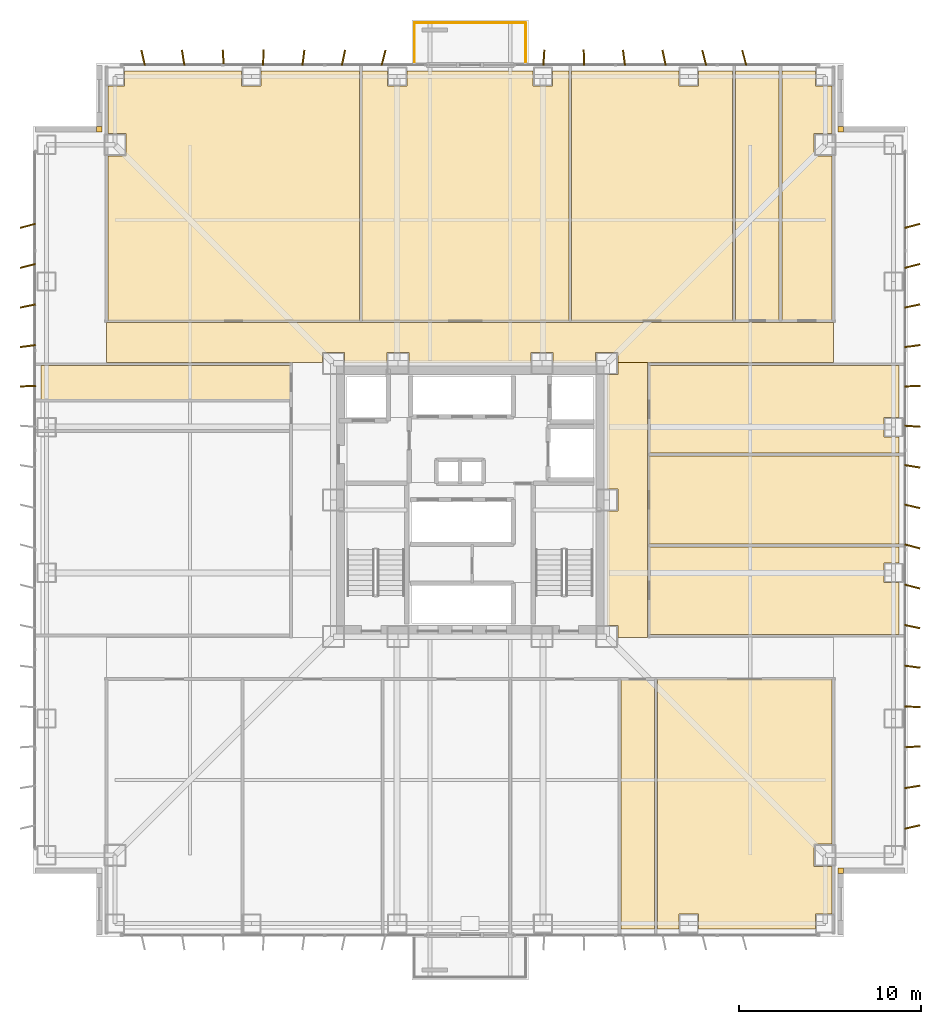
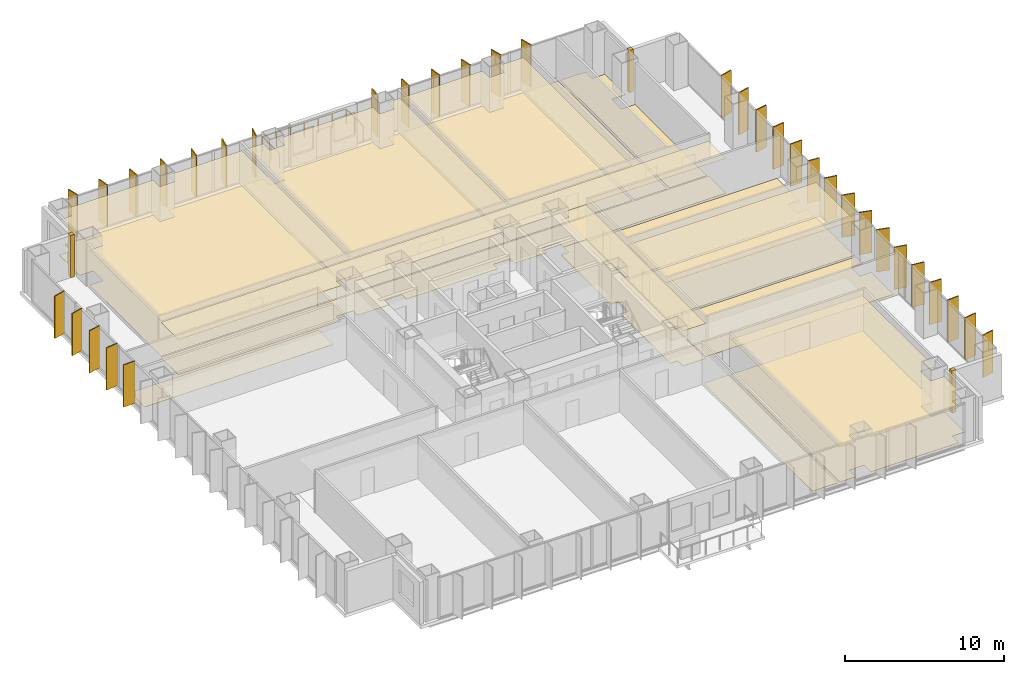
# One storey, part 21 of 21: 34 shading devices, 23 coverings, 3 railings.
"""IFC4 building model written with IfcOpenShell, lengths in metres."""

import ifcopenshell
import ifcopenshell.guid

model = None  # the IFC model being written
_history = None  # IfcOwnerHistory: only IFC2X3 demands one
_inside = {}  # id of a spatial element -> (the spatial element, [elements in it])
_under = {}  # id of a project, library or spatial element -> (it, [spatial elements below it])
_declared = {}  # id of a project -> (the project, [libraries it declares])
_typed = {}  # id of a type object -> (the type object, [elements of that type])
_made_of = {}  # id of a material, layer set ... -> (it, [elements and type objects made of it])


def new_model(schema):
    """Start an empty IFC model of exactly this schema.

    Asked for "IFC4X3", IfcOpenShell would pick the latest addendum, in which some entities
    have other attributes; the version numbers below select the first issue.
    IFC2X3 requires an IfcOwnerHistory on every rooted entity: one is made here for all.
    """
    global model, _history
    if schema == "IFC4X3":
        model = ifcopenshell.file(schema_version=(4, 3, 0, 0))
    else:
        model = ifcopenshell.file(schema=schema)
    _inside.clear()
    _under.clear()
    _declared.clear()
    _typed.clear()
    _made_of.clear()
    _history = None
    if model.schema == "IFC2X3":
        org = make("IfcOrganization", Name="unknown")
        user = make(
            "IfcPersonAndOrganization",
            ThePerson=make("IfcPerson", FamilyName="unknown"),
            TheOrganization=org,
        )
        app = make(
            "IfcApplication",
            ApplicationDeveloper=org,
            Version="unknown",
            ApplicationFullName="unknown",
            ApplicationIdentifier="unknown",
        )
        _history = make(
            "IfcOwnerHistory",
            OwningUser=user,
            OwningApplication=app,
            ChangeAction="ADDED",
            CreationDate=0,
        )
    return model


def make(cls, **values):
    """One entity of the class cls with the attributes given. An attribute that is None is left unset."""
    return model.create_entity(
        cls, **{name: value for name, value in values.items() if value is not None}
    )


def rooted(cls, **values):
    """An entity with a GlobalId (a new one), such as an element, a storey or a relation."""
    return make(cls, GlobalId=ifcopenshell.guid.new(), OwnerHistory=_history, **values)


def si_unit(unit_type, name, prefix=None):
    """IfcSIUnit, for example si_unit("LENGTHUNIT", "METRE", prefix="MILLI")."""
    return make("IfcSIUnit", UnitType=unit_type, Prefix=prefix, Name=name)


def assignment(units):
    """IfcUnitAssignment: the units of a project."""
    return None if units is None else make("IfcUnitAssignment", Units=units)


def point(xyz):
    """IfcCartesianPoint."""
    return None if xyz is None else make("IfcCartesianPoint", Coordinates=xyz)


def direction(xyz):
    """IfcDirection."""
    return None if xyz is None else make("IfcDirection", DirectionRatios=xyz)


def frame(location, z_axis=None, x_axis=None):
    """IfcAxis2Placement3D, a coordinate frame: its origin and axes. An axis left out is left unset."""
    return make(
        "IfcAxis2Placement3D",
        Location=point(location),
        Axis=direction(z_axis),
        RefDirection=direction(x_axis),
    )


def frame_2d(location, x_axis=None):
    """IfcAxis2Placement2D, a coordinate frame in the plane: its origin and x axis."""
    return make(
        "IfcAxis2Placement2D", Location=point(location), RefDirection=direction(x_axis)
    )


def origin():
    """The frame at (0, 0, 0) with its axes left unset."""
    return frame((0.0, 0.0, 0.0))


def origin_2d():
    """The frame at (0, 0) in the plane with its x axis left unset."""
    return frame_2d((0.0, 0.0))


def place(relative_to, where):
    """IfcLocalPlacement: puts the frame where relative to a parent placement (None: the world)."""
    return make(
        "IfcLocalPlacement", PlacementRelTo=relative_to, RelativePlacement=where
    )


def context(
    kind, dimensions, precision=None, world=None, true_north=None, identifier=None
):
    """IfcGeometricRepresentationContext, for example the 3D "Model" context."""
    return make(
        "IfcGeometricRepresentationContext",
        ContextIdentifier=identifier,
        ContextType=kind,
        CoordinateSpaceDimension=dimensions,
        Precision=precision,
        WorldCoordinateSystem=world,
        TrueNorth=true_north,
    )


def subcontext(parent, identifier, kind, view, scale=None):
    """IfcGeometricRepresentationSubContext, for example "Body" below "Model"."""
    return make(
        "IfcGeometricRepresentationSubContext",
        ContextIdentifier=identifier,
        ContextType=kind,
        ParentContext=parent,
        TargetScale=scale,
        TargetView=view,
    )


def project(units=None, contexts=None):
    """IfcProject with its units and contexts."""
    return rooted(
        "IfcProject",
        Name="project",
        RepresentationContexts=contexts,
        UnitsInContext=assignment(units),
    )


def spatial(cls, under=None, at=None, **own):
    """A site, building, storey or space (cls), placed at a placement, below another one or the project."""
    s = rooted(cls, ObjectPlacement=at, **own)
    if under is not None:
        _under.setdefault(under.id(), (under, []))[1].append(s)
    return s


def polyline(points):
    """IfcPolyline through the points."""
    return make("IfcPolyline", Points=[point(p) for p in points])


def profile(cls, at=None, kind="AREA", **sizes):
    """A parametric profile (cls). Its sizes go by their IFC names, for example OverallWidth=200.0."""
    return make(cls, ProfileType=kind, Position=at, **sizes)


def rectangle(**sizes):
    """IfcRectangleProfileDef."""
    return profile("IfcRectangleProfileDef", **sizes)


def circle(**sizes):
    """IfcCircleProfileDef."""
    return profile("IfcCircleProfileDef", **sizes)


def outline(outer, holes=None, kind="AREA"):
    """IfcArbitraryClosedProfileDef: a profile drawn as a closed curve; with holes, ...WithVoids."""
    if holes is None:
        return make("IfcArbitraryClosedProfileDef", ProfileType=kind, OuterCurve=outer)
    return make(
        "IfcArbitraryProfileDefWithVoids",
        ProfileType=kind,
        OuterCurve=outer,
        InnerCurves=holes,
    )


def extrude(swept, where, along, depth):
    """IfcExtrudedAreaSolid: the profile swept, set in the frame where, extruded along a direction by depth."""
    return make(
        "IfcExtrudedAreaSolid",
        SweptArea=swept,
        Position=where,
        ExtrudedDirection=direction(along),
        Depth=depth,
    )


def shape(context_of_items, identifier, shape_type, items):
    """IfcShapeRepresentation: the items that make up one representation, for example the "Body"."""
    return make(
        "IfcShapeRepresentation",
        ContextOfItems=context_of_items,
        RepresentationIdentifier=identifier,
        RepresentationType=shape_type,
        Items=items,
    )


def material(Name=None, Category=None):
    """IfcMaterial."""
    return make("IfcMaterial", Name=Name, Category=Category)


def layer(
    of_material, thickness, ventilated=None, Name=None, Category=None, Priority=None
):
    """IfcMaterialLayer: one layer of a wall or slab, of a material (None: an air gap)."""
    return make(
        "IfcMaterialLayer",
        Material=of_material,
        LayerThickness=thickness,
        IsVentilated=ventilated,
        Name=Name,
        Category=Category,
        Priority=Priority,
    )


def layer_set(layers, Name=None):
    """IfcMaterialLayerSet."""
    return make("IfcMaterialLayerSet", MaterialLayers=layers, LayerSetName=Name)


def made_of(thing, what):
    """Note that an element or type object is made of a material, layer set ...; save() writes the relation."""
    if what is not None:
        _made_of.setdefault(what.id(), (what, []))[1].append(thing)
    return thing


def type_object(cls, material=None, **own):
    """A type object (cls), such as IfcWallType, which elements share."""
    return made_of(rooted(cls, **own), material)


def element(
    cls,
    number,
    at=None,
    inside=None,
    cuts=None,
    type_object=None,
    material=None,
    context=None,
    identifier="Body",
    shape_type=None,
    held_by="IfcProductDefinitionShape",
    body=None,
    shapes=None,
    **own,
):
    """One element of the class cls, such as IfcWall. Its Tag is "e" and its number.

    at: its placement. inside: the storey or other place that contains it. cuts: it is an
    opening in that element (IfcRelVoidsElement). A single representation is given by context,
    identifier, shape_type and body (its items); several are given by shapes. held_by: the class
    of the entity that holds the representations. save() writes the other relations.
    """
    e = rooted(cls, Tag="e%d" % number, ObjectPlacement=at, **own)
    if body is not None:
        shapes = [shape(context, identifier, shape_type, body)]
    if shapes is not None:
        e.Representation = make(held_by, Representations=shapes)
    if inside is not None:
        _inside.setdefault(inside.id(), (inside, []))[1].append(e)
    if cuts is not None:
        rooted(
            "IfcRelVoidsElement", RelatingBuildingElement=cuts, RelatedOpeningElement=e
        )
    if type_object is not None:
        _typed.setdefault(type_object.id(), (type_object, []))[1].append(e)
    return made_of(e, material)


def aggregate(whole, parts):
    """IfcRelAggregates: a whole, such as a stair, and the parts it consists of."""
    return rooted("IfcRelAggregates", RelatingObject=whole, RelatedObjects=parts)


def save(model, path):
    """Write the relations noted so far, then the file.

    IfcRelAggregates (storeys below a building ...), IfcRelContainedInSpatialStructure (elements
    in a storey), IfcRelDefinesByType, IfcRelAssociatesMaterial and IfcRelDeclares: one each for
    every whole, place, type object, material and project.
    """
    for whole, parts in _under.values():
        aggregate(whole, parts)
    for where, things in _inside.values():
        rooted(
            "IfcRelContainedInSpatialStructure",
            RelatedElements=things,
            RelatingStructure=where,
        )
    for kind, things in _typed.values():
        rooted("IfcRelDefinesByType", RelatedObjects=things, RelatingType=kind)
    for what, things in _made_of.values():
        rooted("IfcRelAssociatesMaterial", RelatedObjects=things, RelatingMaterial=what)
    for by, libraries in _declared.values():
        rooted("IfcRelDeclares", RelatingContext=by, RelatedDefinitions=libraries)
    model.write(path)


model = new_model("IFC4")

# Units and contexts
model_context = context("Model", 3, precision=1e-05, world=origin(), true_north=direction((0.0, 1.0)))
body_context = subcontext(model_context, "Body", "Model", "MODEL_VIEW")
ifc_project = project(units=[si_unit("LENGTHUNIT", "METRE"), si_unit("AREAUNIT", "SQUARE_METRE"), si_unit("VOLUMEUNIT", "CUBIC_METRE"), si_unit("PLANEANGLEUNIT", "RADIAN"), si_unit("MASSUNIT", "GRAM", prefix="KILO")], contexts=[model_context])

# Site, building, storey
site_placement = place(None, origin())
site = spatial("IfcSite", under=ifc_project, at=site_placement, CompositionType="ELEMENT")
building_placement = place(site_placement, origin())
building = spatial("IfcBuilding", under=site, at=building_placement, Name="Trevonay Congress Spire", CompositionType="ELEMENT")
storey_placement = place(building_placement, frame((0.0, 0.0, 37.5)))
storey = spatial("IfcBuildingStorey", under=building, at=storey_placement, Name="L08", CompositionType="ELEMENT", Elevation=37.5)

# Coverings
ifc_material_1 = material(Name="Acoustic Mineral Fibre Board", Category="gypsum")
ifc_layer_1 = layer(ifc_material_1, 0.02490234375, Name="Acoustic Mineral Fibre Board")
ifc_layer_set_1 = layer_set([ifc_layer_1], Name="Acoustic Mineral Fibre Board")
covering_type_1 = type_object("IfcCoveringType", Name="COV-CEIL-ACOUSTIC", PredefinedType="CEILING", material=ifc_layer_set_1)
covering_1_placement = place(storey_placement, frame((0.0, 0.0, 2.699951171875)))
element("IfcCovering", 1, at=covering_1_placement, inside=storey, type_object=covering_type_1, Name="L08 Hotel Floor Corridor North acoustic suspended ceiling", PredefinedType="CEILING", context=body_context, shape_type="SweptSolid", body=[
    extrude(outline(polyline([(-19.949951171875, 7.550048828125), (-19.949951171875, 9.75), (19.949951171875, 9.75), (19.949951171875, 7.550048828125), (8.110107421875, 7.550048828125), (8.110107421875, 8.110107421875), (6.889892578125, 8.110107421875), (6.889892578125, 7.550048828125), (4.56005859375, 7.550048828125), (4.56005859375, 8.110107421875), (3.340087890625, 8.110107421875), (3.340087890625, 7.550048828125), (-3.340087890625, 7.550048828125), (-3.340087890625, 8.110107421875), (-4.56005859375, 8.110107421875), (-4.56005859375, 7.550048828125), (-6.889892578125, 7.550048828125), (-6.889892578125, 8.110107421875), (-8.110107421875, 8.110107421875), (-8.110107421875, 7.550048828125), (-19.949951171875, 7.550048828125)])), origin(), (0.0, 0.0, 1.0), 0.025146484375),
])
covering_2_placement = place(storey_placement, frame((0.0, 0.0, 2.699951171875)))
element("IfcCovering", 2, at=covering_2_placement, inside=storey, type_object=covering_type_1, Name="L08 Hotel Floor Corridor East acoustic suspended ceiling", PredefinedType="CEILING", context=body_context, shape_type="SweptSolid", body=[
    extrude(outline(polyline([(9.75, -7.550048828125), (8.110107421875, -7.550048828125), (8.110107421875, -6.889892578125), (7.550048828125, -6.889892578125), (7.550048828125, -0.610107421875), (8.110107421875, -0.610107421875), (8.110107421875, 0.610107421875), (7.550048828125, 0.610107421875), (7.550048828125, 6.889892578125), (8.110107421875, 6.889892578125), (8.110107421875, 7.550048828125), (9.75, 7.550048828125), (9.75, -7.550048828125)])), origin(), (0.0, 0.0, 1.0), 0.025146484375),
])
covering_3_placement = place(storey_placement, frame((0.0, 0.0, 2.699951171875)))
element("IfcCovering", 3, at=covering_3_placement, inside=storey, type_object=covering_type_1, Name="L08 Delegate Seminar Room D acoustic suspended ceiling", PredefinedType="CEILING", context=body_context, shape_type="SweptSolid", body=[
    extrude(outline(polyline([(10.280029296875, -23.550048828125), (10.280029296875, -9.830078125), (19.8701171875, -9.830078125), (19.8701171875, -18.889892578125), (18.889892578125, -18.889892578125), (18.889892578125, -20.110107421875), (19.8701171875, -20.110107421875), (19.8701171875, -22.715087890625), (18.965087890625, -22.715087890625), (18.965087890625, -23.550048828125), (12.534912109375, -23.550048828125), (12.534912109375, -22.715087890625), (11.465087890625, -22.715087890625), (11.465087890625, -23.550048828125), (10.280029296875, -23.550048828125)])), origin(), (0.0, 0.0, 1.0), 0.025146484375),
])
covering_4_placement = place(storey_placement, frame((0.0, 0.0, 2.699951171875)))
element("IfcCovering", 4, at=covering_4_placement, inside=storey, type_object=covering_type_1, Name="L08 Translation Secretariat Office West acoustic suspended ceiling", PredefinedType="CEILING", context=body_context, shape_type="SweptSolid", body=[
    extrude(outline(polyline([(-6.080078125, 23.550048828125), (-6.080078125, 9.830078125), (-19.8701171875, 9.830078125), (-19.8701171875, 18.889892578125), (-18.889892578125, 18.889892578125), (-18.889892578125, 20.110107421875), (-19.8701171875, 20.110107421875), (-19.8701171875, 22.715087890625), (-18.965087890625, 22.715087890625), (-18.965087890625, 23.550048828125), (-12.534912109375, 23.550048828125), (-12.534912109375, 22.715087890625), (-11.465087890625, 22.715087890625), (-11.465087890625, 23.550048828125), (-6.080078125, 23.550048828125)])), origin(), (0.0, 0.0, 1.0), 0.025146484375),
])
covering_5_placement = place(storey_placement, frame((0.0, 0.0, 2.699951171875)))
element("IfcCovering", 5, at=covering_5_placement, inside=storey, type_object=covering_type_1, Name="L08 Rapporteur Drafting Salon acoustic suspended ceiling", PredefinedType="CEILING", context=body_context, shape_type="SweptSolid", body=[
    extrude(outline(polyline([(5.419921875, 23.550048828125), (5.419921875, 9.830078125), (-5.919921875, 9.830078125), (-5.919921875, 23.550048828125), (-4.534912109375, 23.550048828125), (-4.534912109375, 22.715087890625), (-3.465087890625, 22.715087890625), (-3.465087890625, 23.550048828125), (3.465087890625, 23.550048828125), (3.465087890625, 22.715087890625), (4.534912109375, 22.715087890625), (4.534912109375, 23.550048828125), (5.419921875, 23.550048828125)])), origin(), (0.0, 0.0, 1.0), 0.025146484375),
])
covering_6_placement = place(storey_placement, frame((0.0, 0.0, 2.699951171875)))
element("IfcCovering", 6, at=covering_6_placement, inside=storey, type_object=covering_type_1, Name="L08 Congress Operations Office East acoustic suspended ceiling", PredefinedType="CEILING", context=body_context, shape_type="SweptSolid", body=[
    extrude(outline(polyline([(14.419921875, 23.550048828125), (14.419921875, 9.830078125), (5.580078125, 9.830078125), (5.580078125, 23.550048828125), (11.465087890625, 23.550048828125), (11.465087890625, 22.715087890625), (12.534912109375, 22.715087890625), (12.534912109375, 23.550048828125), (14.419921875, 23.550048828125)])), origin(), (0.0, 0.0, 1.0), 0.025146484375),
])
covering_7_placement = place(storey_placement, frame((0.0, 0.0, 2.699951171875)))
element("IfcCovering", 7, at=covering_7_placement, inside=storey, type_object=covering_type_1, Name="L08 Hotel Business Office acoustic suspended ceiling", PredefinedType="CEILING", context=body_context, shape_type="SweptSolid", body=[
    extrude(outline(polyline([(9.830078125, -2.419921875), (23.550048828125, -2.419921875), (23.550048828125, 2.419921875), (9.830078125, 2.419921875), (9.830078125, -2.419921875)])), origin(), (0.0, 0.0, 1.0), 0.025146484375),
])
ifc_material_2 = material(Name="Polished Granite Floor Tile", Category="masonry")
ifc_layer_2 = layer(ifc_material_2, 0.02001953125, Name="Polished Granite Floor Tile")
ifc_layer_set_2 = layer_set([ifc_layer_2], Name="Polished Granite Floor Tile")
covering_type_2 = type_object("IfcCoveringType", Name="COV-FLOOR-STONE", PredefinedType="FLOORING", material=ifc_layer_set_2)
covering_8_placement = place(storey_placement, origin())
element("IfcCovering", 8, at=covering_8_placement, inside=storey, type_object=covering_type_2, Name="L08 Hotel Floor Corridor North floor finish", PredefinedType="FLOORING", context=body_context, shape_type="SweptSolid", body=[
    extrude(outline(polyline([(-19.949951171875, 7.550048828125), (-19.949951171875, 9.75), (19.949951171875, 9.75), (19.949951171875, 7.550048828125), (8.110107421875, 7.550048828125), (8.110107421875, 8.110107421875), (6.889892578125, 8.110107421875), (6.889892578125, 7.550048828125), (4.56005859375, 7.550048828125), (4.56005859375, 8.110107421875), (3.340087890625, 8.110107421875), (3.340087890625, 7.550048828125), (-3.340087890625, 7.550048828125), (-3.340087890625, 8.110107421875), (-4.56005859375, 8.110107421875), (-4.56005859375, 7.550048828125), (-6.889892578125, 7.550048828125), (-6.889892578125, 8.110107421875), (-8.110107421875, 8.110107421875), (-8.110107421875, 7.550048828125), (-19.949951171875, 7.550048828125)])), origin(), (0.0, 0.0, 1.0), 0.02001953125),
])
covering_9_placement = place(storey_placement, origin())
element("IfcCovering", 9, at=covering_9_placement, inside=storey, type_object=covering_type_2, Name="L08 Hotel Floor Corridor East floor finish", PredefinedType="FLOORING", context=body_context, shape_type="SweptSolid", body=[
    extrude(outline(polyline([(9.75, -7.550048828125), (8.110107421875, -7.550048828125), (8.110107421875, -6.889892578125), (7.550048828125, -6.889892578125), (7.550048828125, -0.610107421875), (8.110107421875, -0.610107421875), (8.110107421875, 0.610107421875), (7.550048828125, 0.610107421875), (7.550048828125, 6.889892578125), (8.110107421875, 6.889892578125), (8.110107421875, 7.550048828125), (9.75, 7.550048828125), (9.75, -7.550048828125)])), origin(), (0.0, 0.0, 1.0), 0.02001953125),
])
covering_10_placement = place(storey_placement, origin())
element("IfcCovering", 10, at=covering_10_placement, inside=storey, type_object=covering_type_2, Name="L08 Accessible WC floor finish", PredefinedType="FLOORING", context=body_context, shape_type="SweptSolid", body=[
    extrude(outline(polyline([(8.280029296875, -23.550048828125), (10.1201171875, -23.550048828125), (10.1201171875, -9.830078125), (8.280029296875, -9.830078125), (8.280029296875, -23.550048828125)])), origin(), (0.0, 0.0, 1.0), 0.02001953125),
])
covering_11_placement = place(storey_placement, origin())
element("IfcCovering", 11, at=covering_11_placement, inside=storey, type_object=covering_type_2, Name="L08 Female Restroom WC floor finish", PredefinedType="FLOORING", context=body_context, shape_type="SweptSolid", body=[
    extrude(outline(polyline([(14.580078125, 9.830078125), (16.969970703125, 9.830078125), (16.969970703125, 23.550048828125), (14.580078125, 23.550048828125), (14.580078125, 9.830078125)])), origin(), (0.0, 0.0, 1.0), 0.02001953125),
])
covering_12_placement = place(storey_placement, origin())
element("IfcCovering", 12, at=covering_12_placement, inside=storey, type_object=covering_type_2, Name="L08 Floor Supplies and Copy Room floor finish", PredefinedType="FLOORING", context=body_context, shape_type="SweptSolid", body=[
    extrude(outline(polyline([(19.8701171875, 9.830078125), (17.1298828125, 9.830078125), (17.1298828125, 23.550048828125), (18.965087890625, 23.550048828125), (18.965087890625, 22.715087890625), (19.8701171875, 22.715087890625), (19.8701171875, 20.110107421875), (18.889892578125, 20.110107421875), (18.889892578125, 18.889892578125), (19.8701171875, 18.889892578125), (19.8701171875, 9.830078125)])), origin(), (0.0, 0.0, 1.0), 0.02001953125),
])
covering_13_placement = place(storey_placement, origin())
element("IfcCovering", 13, at=covering_13_placement, inside=storey, type_object=covering_type_2, Name="L08 Floor Supplies and Copy Room floor finish", PredefinedType="FLOORING", context=body_context, shape_type="SweptSolid", body=[
    extrude(outline(polyline([(-23.550048828125, 5.530029296875), (-9.830078125, 5.530029296875), (-9.830078125, 7.3701171875), (-23.550048828125, 7.3701171875), (-23.550048828125, 5.530029296875)])), origin(), (0.0, 0.0, 1.0), 0.02001953125),
])
covering_14_placement = place(storey_placement, origin())
element("IfcCovering", 14, at=covering_14_placement, inside=storey, type_object=covering_type_2, Name="L08 Housekeeping and Linen Room floor finish", PredefinedType="FLOORING", context=body_context, shape_type="SweptSolid", body=[
    extrude(outline(polyline([(23.550048828125, -7.3701171875), (9.830078125, -7.3701171875), (9.830078125, -2.580078125), (23.550048828125, -2.580078125), (23.550048828125, -3.465087890625), (22.715087890625, -3.465087890625), (22.715087890625, -4.534912109375), (23.550048828125, -4.534912109375), (23.550048828125, -7.3701171875)])), origin(), (0.0, 0.0, 1.0), 0.02001953125),
])
covering_15_placement = place(storey_placement, origin())
element("IfcCovering", 15, at=covering_15_placement, inside=storey, type_object=covering_type_2, Name="L08 Valet Laundry Room floor finish", PredefinedType="FLOORING", context=body_context, shape_type="SweptSolid", body=[
    extrude(outline(polyline([(23.550048828125, 2.580078125), (9.830078125, 2.580078125), (9.830078125, 7.3701171875), (23.550048828125, 7.3701171875), (23.550048828125, 4.534912109375), (22.715087890625, 4.534912109375), (22.715087890625, 3.465087890625), (23.550048828125, 3.465087890625), (23.550048828125, 2.580078125)])), origin(), (0.0, 0.0, 1.0), 0.02001953125),
])
ifc_material_3 = material(Name="Engineered Oak Flooring", Category="wood")
ifc_layer_3 = layer(ifc_material_3, 0.01806640625, Name="Engineered Oak Flooring")
ifc_layer_set_3 = layer_set([ifc_layer_3], Name="Engineered Oak Flooring")
covering_type_3 = type_object("IfcCoveringType", Name="COV-FLOOR-TIMBER", PredefinedType="FLOORING", material=ifc_layer_set_3)
covering_16_placement = place(storey_placement, origin())
element("IfcCovering", 16, at=covering_16_placement, inside=storey, type_object=covering_type_3, Name="L08 Delegate Seminar Room D floor finish", PredefinedType="FLOORING", context=body_context, shape_type="SweptSolid", body=[
    extrude(outline(polyline([(10.280029296875, -23.550048828125), (10.280029296875, -9.830078125), (19.8701171875, -9.830078125), (19.8701171875, -18.889892578125), (18.889892578125, -18.889892578125), (18.889892578125, -20.110107421875), (19.8701171875, -20.110107421875), (19.8701171875, -22.715087890625), (18.965087890625, -22.715087890625), (18.965087890625, -23.550048828125), (12.534912109375, -23.550048828125), (12.534912109375, -22.715087890625), (11.465087890625, -22.715087890625), (11.465087890625, -23.550048828125), (10.280029296875, -23.550048828125)])), origin(), (0.0, 0.0, 1.0), 0.01806640625),
])
covering_17_placement = place(storey_placement, origin())
element("IfcCovering", 17, at=covering_17_placement, inside=storey, type_object=covering_type_3, Name="L08 Translation Secretariat Office West floor finish", PredefinedType="FLOORING", context=body_context, shape_type="SweptSolid", body=[
    extrude(outline(polyline([(-6.080078125, 23.550048828125), (-6.080078125, 9.830078125), (-19.8701171875, 9.830078125), (-19.8701171875, 18.889892578125), (-18.889892578125, 18.889892578125), (-18.889892578125, 20.110107421875), (-19.8701171875, 20.110107421875), (-19.8701171875, 22.715087890625), (-18.965087890625, 22.715087890625), (-18.965087890625, 23.550048828125), (-12.534912109375, 23.550048828125), (-12.534912109375, 22.715087890625), (-11.465087890625, 22.715087890625), (-11.465087890625, 23.550048828125), (-6.080078125, 23.550048828125)])), origin(), (0.0, 0.0, 1.0), 0.01806640625),
])
covering_18_placement = place(storey_placement, origin())
element("IfcCovering", 18, at=covering_18_placement, inside=storey, type_object=covering_type_3, Name="L08 Rapporteur Drafting Salon floor finish", PredefinedType="FLOORING", context=body_context, shape_type="SweptSolid", body=[
    extrude(outline(polyline([(5.419921875, 23.550048828125), (5.419921875, 9.830078125), (-5.919921875, 9.830078125), (-5.919921875, 23.550048828125), (-4.534912109375, 23.550048828125), (-4.534912109375, 22.715087890625), (-3.465087890625, 22.715087890625), (-3.465087890625, 23.550048828125), (3.465087890625, 23.550048828125), (3.465087890625, 22.715087890625), (4.534912109375, 22.715087890625), (4.534912109375, 23.550048828125), (5.419921875, 23.550048828125)])), origin(), (0.0, 0.0, 1.0), 0.01806640625),
])
covering_19_placement = place(storey_placement, origin())
element("IfcCovering", 19, at=covering_19_placement, inside=storey, type_object=covering_type_3, Name="L08 Congress Operations Office East floor finish", PredefinedType="FLOORING", context=body_context, shape_type="SweptSolid", body=[
    extrude(outline(polyline([(14.419921875, 23.550048828125), (14.419921875, 9.830078125), (5.580078125, 9.830078125), (5.580078125, 23.550048828125), (11.465087890625, 23.550048828125), (11.465087890625, 22.715087890625), (12.534912109375, 22.715087890625), (12.534912109375, 23.550048828125), (14.419921875, 23.550048828125)])), origin(), (0.0, 0.0, 1.0), 0.01806640625),
])
covering_20_placement = place(storey_placement, origin())
element("IfcCovering", 20, at=covering_20_placement, inside=storey, type_object=covering_type_3, Name="L08 Hotel Business Office floor finish", PredefinedType="FLOORING", context=body_context, shape_type="SweptSolid", body=[
    extrude(outline(polyline([(9.830078125, -2.419921875), (23.550048828125, -2.419921875), (23.550048828125, 2.419921875), (9.830078125, 2.419921875), (9.830078125, -2.419921875)])), origin(), (0.0, 0.0, 1.0), 0.01806640625),
])
ifc_material_4 = material(Name="Pale Anodised Aluminium EN AW-6063-T6", Category="aluminium")
ifc_layer_4 = layer(ifc_material_4, 0.0400390625, Name="Pale Anodised Aluminium EN AW-6063-T6")
ifc_layer_set_4 = layer_set([ifc_layer_4], Name="Pale Anodised Aluminium EN AW-6063-T6")
covering_type_4 = type_object("IfcCoveringType", Name="COV-SPANDREL-PALE-METAL", PredefinedType="CLADDING", material=ifc_layer_set_4)
covering_21_placement = place(storey_placement, origin())
element("IfcCovering", 21, at=covering_21_placement, inside=storey, type_object=covering_type_4, Name="L08 SE re-entrant notch corner closure trim", PredefinedType="CLADDING", context=body_context, shape_type="SweptSolid", body=[
    extrude(outline(polyline([(20.199951171875, -20.5), (20.5, -20.5), (20.5, -20.199951171875), (20.199951171875, -20.199951171875), (20.199951171875, -20.5)])), origin(), (0.0, 0.0, 1.0), 3.25),
])
covering_22_placement = place(storey_placement, origin())
element("IfcCovering", 22, at=covering_22_placement, inside=storey, type_object=covering_type_4, Name="L08 NE re-entrant notch corner closure trim", PredefinedType="CLADDING", context=body_context, shape_type="SweptSolid", body=[
    extrude(outline(polyline([(20.199951171875, 20.199951171875), (20.5, 20.199951171875), (20.5, 20.5), (20.199951171875, 20.5), (20.199951171875, 20.199951171875)])), origin(), (0.0, 0.0, 1.0), 3.25),
])
covering_23_placement = place(storey_placement, origin())
element("IfcCovering", 23, at=covering_23_placement, inside=storey, type_object=covering_type_4, Name="L08 NW re-entrant notch corner closure trim", PredefinedType="CLADDING", context=body_context, shape_type="SweptSolid", body=[
    extrude(outline(polyline([(-20.5, 20.199951171875), (-20.199951171875, 20.199951171875), (-20.199951171875, 20.5), (-20.5, 20.5), (-20.5, 20.199951171875)])), origin(), (0.0, 0.0, 1.0), 3.25),
])

# Railings
railing_type = type_object("IfcRailingType", Name="RAL-EXT-GUARD-115", PredefinedType="GUARDRAIL", material=ifc_material_4)
railing_1_placement = place(storey_placement, frame((-3.050048828125, 24.050048828125, 0.0)))
element("IfcRailing", 24, at=railing_1_placement, inside=storey, type_object=railing_type, Name="L08 perimeter safety guard GRD-L08-TBAL-N-1", PredefinedType="GUARDRAIL", context=body_context, shape_type="SweptSolid", body=[
    extrude(circle(Radius=0.02392578125, at=origin_2d()), frame((0.0, 0.0, 1.1259765625), z_axis=(0.0, 1.0, 0.0), x_axis=(-1.0, 0.0, 0.0)), (0.0, 0.0, 1.0), 2.14990234375),
    extrude(circle(Radius=0.02099609375, at=origin_2d()), origin(), (0.0, 0.0, 1.0), 1.101806640625),
    extrude(circle(Radius=0.02099609375, at=origin_2d()), frame((0.0, 1.074951171875, 0.0)), (0.0, 0.0, 1.0), 1.101806640625),
    extrude(circle(Radius=0.02099609375, at=origin_2d()), frame((0.0, 2.14990234375, 0.0)), (0.0, 0.0, 1.0), 1.101806640625),
])
railing_2_placement = place(storey_placement, frame((-3.050048828125, 26.199951171875, 0.0)))
element("IfcRailing", 25, at=railing_2_placement, inside=storey, type_object=railing_type, Name="L08 perimeter safety guard GRD-L08-TBAL-N-2", PredefinedType="GUARDRAIL", context=body_context, shape_type="SweptSolid", body=[
    extrude(circle(Radius=0.02392578125, at=origin_2d()), frame((0.0, 0.0, 1.1259765625), z_axis=(1.0, 0.0, 0.0), x_axis=(0.0, 1.0, 0.0)), (0.0, 0.0, 1.0), 6.10009765625),
    extrude(circle(Radius=0.02099609375, at=origin_2d()), origin(), (0.0, 0.0, 1.0), 1.101806640625),
    extrude(circle(Radius=0.02099609375, at=origin_2d()), frame((1.0166015625, 0.0, 0.0)), (0.0, 0.0, 1.0), 1.101806640625),
    extrude(circle(Radius=0.02099609375, at=origin_2d()), frame((2.033447265625, 0.0, 0.0)), (0.0, 0.0, 1.0), 1.101806640625),
    extrude(circle(Radius=0.02099609375, at=origin_2d()), frame((3.050048828125, 0.0, 0.0)), (0.0, 0.0, 1.0), 1.101806640625),
    extrude(circle(Radius=0.02099609375, at=origin_2d()), frame((4.066650390625, 0.0, 0.0)), (0.0, 0.0, 1.0), 1.101806640625),
    extrude(circle(Radius=0.02099609375, at=origin_2d()), frame((5.08349609375, 0.0, 0.0)), (0.0, 0.0, 1.0), 1.101806640625),
    extrude(circle(Radius=0.02099609375, at=origin_2d()), frame((6.10009765625, 0.0, 0.0)), (0.0, 0.0, 1.0), 1.101806640625),
])
railing_3_placement = place(storey_placement, frame((3.050048828125, 26.199951171875, 0.0)))
element("IfcRailing", 26, at=railing_3_placement, inside=storey, type_object=railing_type, Name="L08 perimeter safety guard GRD-L08-TBAL-N-3", PredefinedType="GUARDRAIL", context=body_context, shape_type="SweptSolid", body=[
    extrude(circle(Radius=0.02392578125, at=origin_2d()), frame((0.0, 0.0, 1.1259765625), z_axis=(0.0, -1.0, 0.0), x_axis=(1.0, 0.0, 0.0)), (0.0, 0.0, 1.0), 2.14990234375),
    extrude(circle(Radius=0.02099609375, at=origin_2d()), origin(), (0.0, 0.0, 1.0), 1.101806640625),
    extrude(circle(Radius=0.02099609375, at=origin_2d()), frame((0.0, -1.074951171875, 0.0)), (0.0, 0.0, 1.0), 1.101806640625),
    extrude(circle(Radius=0.02099609375, at=origin_2d()), frame((0.0, -2.14990234375, 0.0)), (0.0, 0.0, 1.0), 1.101806640625),
])

# Shading devices
shading_device_type = type_object("IfcShadingDeviceType", Name="SHD-FIN-Z1-PALE-METAL", PredefinedType="USERDEFINED", material=ifc_material_4)
for number, where, z_axis, x_axis, name in (
    (27, (-17.949951171875, 24.280029296875, 0.0), (0.0, 0.0, 1.0), (0.97440931131, 0.224780991261, 0.0), "L08 N vertical pale-metal solar fin 1"),
    (28, (-15.75, 24.280029296875, 0.0), (0.0, 0.0, 1.0), (0.987330860032, 0.158675054211, 0.0), "L08 N vertical pale-metal solar fin 2"),
    (29, (-13.550048828125, 24.280029296875, 0.0), (0.0, 0.0, 1.0), (0.997707959868, 0.067667029017, 0.0), "L08 N vertical pale-metal solar fin 3"),
    (30, (-11.35009765625, 24.280029296875, 0.0), (0.0, 0.0, 1.0), (0.999414947917, -0.034201781837, 0.0), "L08 N vertical pale-metal solar fin 4"),
    (31, (-9.14990234375, 24.280029296875, 0.0), (0.0, 0.0, 1.0), (0.991444861374, -0.13052619222, 0.0), "L08 N vertical pale-metal solar fin 5"),
    (32, (-6.949951171875, 24.280029296875, 0.0), (0.0, 0.0, 1.0), (0.978508985102, -0.206204185397, 0.0), "L08 N vertical pale-metal solar fin 6"),
    (33, (-4.75, 24.280029296875, 0.0), (0.0, 0.0, 1.0), (0.968191325187, -0.250211026602, 0.0), "L08 N vertical pale-metal solar fin 7"),
    (34, (4.050048828125, 24.280029296875, 0.0), (0.0, 0.0, 1.0), (0.997707959868, -0.067667029017, 0.0), "L08 N vertical pale-metal solar fin 11"),
    (35, (6.25, 24.280029296875, 0.0), (0.0, 0.0, 1.0), (0.999414947917, 0.034201781837, 0.0), "L08 N vertical pale-metal solar fin 12"),
    (36, (8.449951171875, 24.280029296875, 0.0), (0.0, 0.0, 1.0), (0.991444861374, 0.13052619222, 0.0), "L08 N vertical pale-metal solar fin 13"),
    (37, (10.64990234375, 24.280029296875, 0.0), (0.0, 0.0, 1.0), (0.978508985102, 0.206204185397, 0.0), "L08 N vertical pale-metal solar fin 14"),
    (38, (12.85009765625, 24.280029296875, 0.0), (0.0, 0.0, 1.0), (0.968191325187, 0.250211026602, 0.0), "L08 N vertical pale-metal solar fin 15"),
    (39, (15.050048828125, 24.280029296875, 0.0), (0.0, 0.0, 1.0), (0.966510581262, 0.256626764599, 0.0), "L08 N vertical pale-metal solar fin 16"),
    (40, (-24.280029296875, 6.25, 0.0), (0.0, 0.0, 1.0), (-0.034201781837, 0.999414947917, 0.0), "L08 W vertical pale-metal solar fin 12"),
    (41, (-24.280029296875, 8.449951171875, 0.0), (0.0, 0.0, 1.0), (-0.13052619222, 0.991444861374, 0.0), "L08 W vertical pale-metal solar fin 13"),
    (42, (-24.280029296875, 10.64990234375, 0.0), (0.0, 0.0, 1.0), (-0.206204185397, 0.978508985102, 0.0), "L08 W vertical pale-metal solar fin 14"),
    (43, (-24.280029296875, 12.85009765625, 0.0), (0.0, 0.0, 1.0), (-0.250211026602, 0.968191325187, 0.0), "L08 W vertical pale-metal solar fin 15"),
    (44, (-24.280029296875, 15.050048828125, 0.0), (0.0, 0.0, 1.0), (-0.256626764599, 0.966510581262, 0.0), "L08 W vertical pale-metal solar fin 16"),
    (45, (24.280029296875, -17.949951171875, 0.0), (0.0, 0.0, 1.0), (-0.224780991261, 0.97440931131, 0.0), "L08 E vertical pale-metal solar fin 1"),
    (46, (24.280029296875, -15.75, 0.0), (0.0, 0.0, 1.0), (-0.158675054211, 0.987330860032, 0.0), "L08 E vertical pale-metal solar fin 2"),
    (47, (24.280029296875, -13.550048828125, 0.0), (0.0, 0.0, 1.0), (-0.067667029017, 0.997707959868, 0.0), "L08 E vertical pale-metal solar fin 3"),
    (48, (24.280029296875, -11.35009765625, 0.0), (0.0, 0.0, 1.0), (0.034201781837, 0.999414947917, 0.0), "L08 E vertical pale-metal solar fin 4"),
    (49, (24.280029296875, -9.14990234375, 0.0), (0.0, 0.0, 1.0), (0.13052619222, 0.991444861374, 0.0), "L08 E vertical pale-metal solar fin 5"),
    (50, (24.280029296875, -6.949951171875, 0.0), (0.0, 0.0, 1.0), (0.206204185397, 0.978508985102, 0.0), "L08 E vertical pale-metal solar fin 6"),
    (51, (24.280029296875, -4.75, 0.0), (0.0, 0.0, 1.0), (0.250211026602, 0.968191325187, 0.0), "L08 E vertical pale-metal solar fin 7"),
    (52, (24.280029296875, -2.550048828125, 0.0), (0.0, 0.0, 1.0), (0.256626764599, 0.966510581262, 0.0), "L08 E vertical pale-metal solar fin 8"),
    (53, (24.280029296875, -0.35009765625, 0.0), (0.0, 0.0, 1.0), (0.224780991261, 0.97440931131, 0.0), "L08 E vertical pale-metal solar fin 9"),
    (54, (24.280029296875, 1.85009765625, 0.0), (0.0, 0.0, 1.0), (0.158675054211, 0.987330860032, 0.0), "L08 E vertical pale-metal solar fin 10"),
    (55, (24.280029296875, 4.050048828125, 0.0), (0.0, 0.0, 1.0), (0.067667029017, 0.997707959868, 0.0), "L08 E vertical pale-metal solar fin 11"),
    (56, (24.280029296875, 6.25, 0.0), (0.0, 0.0, 1.0), (-0.034201781837, 0.999414947917, 0.0), "L08 E vertical pale-metal solar fin 12"),
    (57, (24.280029296875, 8.449951171875, 0.0), (0.0, 0.0, 1.0), (-0.13052619222, 0.991444861374, 0.0), "L08 E vertical pale-metal solar fin 13"),
    (58, (24.280029296875, 10.64990234375, 0.0), (0.0, 0.0, 1.0), (-0.206204185397, 0.978508985102, 0.0), "L08 E vertical pale-metal solar fin 14"),
    (59, (24.280029296875, 12.85009765625, 0.0), (0.0, 0.0, 1.0), (-0.250211026602, 0.968191325187, 0.0), "L08 E vertical pale-metal solar fin 15"),
    (60, (24.280029296875, 15.050048828125, 0.0), (0.0, 0.0, 1.0), (-0.256626764599, 0.966510581262, 0.0), "L08 E vertical pale-metal solar fin 16"),
):
    element("IfcShadingDevice", number, at=place(storey_placement, frame(where, z_axis=z_axis, x_axis=x_axis)), inside=storey, type_object=shading_device_type, Name=name, ObjectType="SOLAR FIN", PredefinedType="USERDEFINED", context=body_context, shape_type="SweptSolid", body=[
        extrude(rectangle(XDim=0.080078125, YDim=0.85009765625, at=origin_2d()), origin(), (0.0, 0.0, 1.0), 3.25),
    ])

save(model, "model.ifc")
